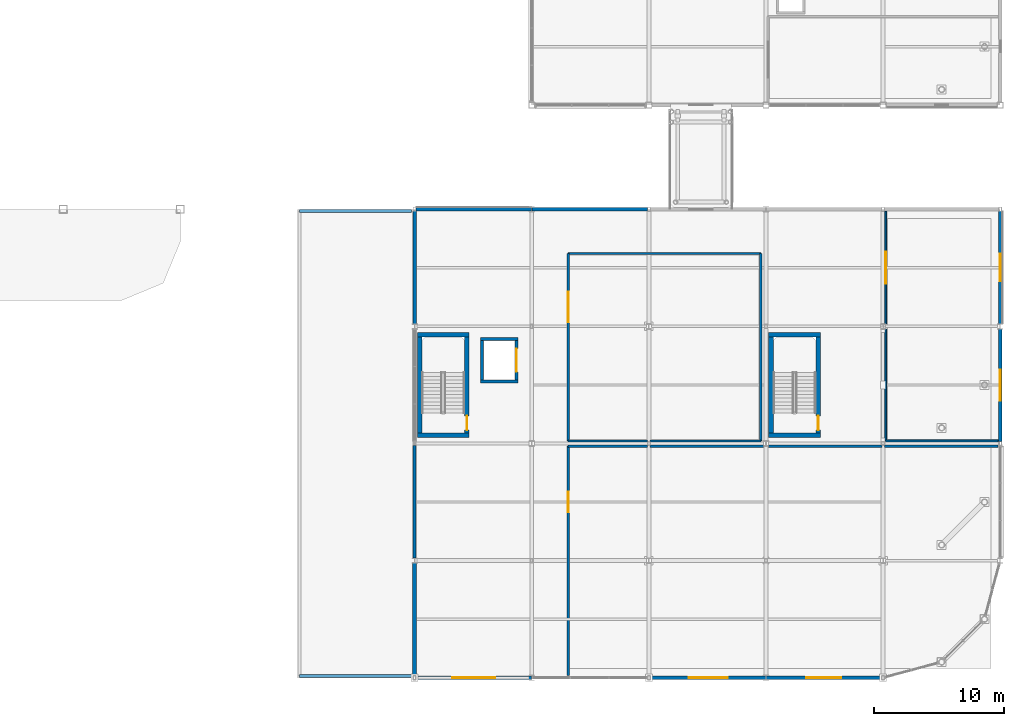
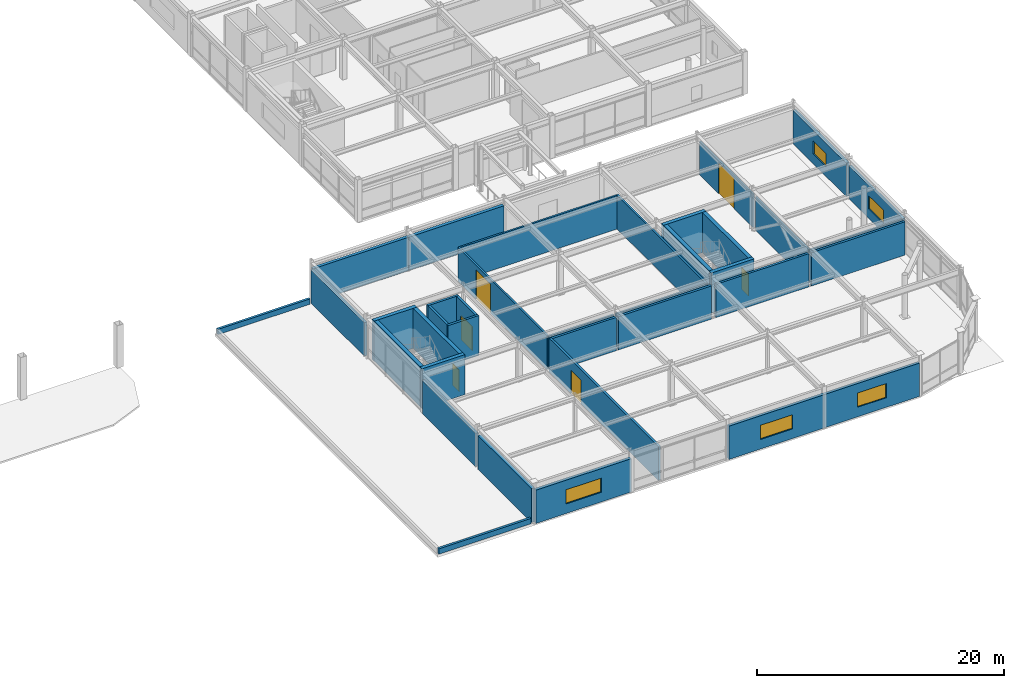
# One storey, part 77 of 105: 37 walls, 6 doors, 5 windows, 11 openings.
"""IFC4 building model written with IfcOpenShell, lengths in metres."""

from ifc_helpers import new_model, si_unit, direction, frame, frame_2d, origin, place, context, subcontext, project, spatial, rectangle, extrude, material, layer, layer_set, type_object, element, fill, save


model = new_model("IFC4")

# Units and contexts
model_context = context("Model", 3, precision=1e-05, world=origin(), true_north=direction((0.0, 1.0)))
body_context = subcontext(model_context, "Body", "Model", "MODEL_VIEW")
ifc_project = project(units=[si_unit("LENGTHUNIT", "METRE"), si_unit("AREAUNIT", "SQUARE_METRE"), si_unit("VOLUMEUNIT", "CUBIC_METRE"), si_unit("PLANEANGLEUNIT", "RADIAN"), si_unit("MASSUNIT", "GRAM", prefix="KILO")], contexts=[model_context])

# Site, building, storey
site_placement = place(None, origin())
site = spatial("IfcSite", under=ifc_project, at=site_placement, CompositionType="ELEMENT")
building_placement = place(site_placement, origin())
building = spatial("IfcBuilding", under=site, at=building_placement, Name="Suzunagisa Mobility Hub", CompositionType="ELEMENT")
storey_placement = place(building_placement, frame((0.0, 0.0, 5.10009765625)))
storey = spatial("IfcBuildingStorey", under=building, at=storey_placement, Name="L01", CompositionType="ELEMENT", Elevation=5.10009765625)

# Wall, opening, window
ifc_material_1 = material(Name="Porcelain-Faced Insulated Concrete C30/37 Wall", Category="concrete")
ifc_layer_1 = layer(ifc_material_1, 0.260009765625)
ifc_layer_set_1 = layer_set([ifc_layer_1], Name="Porcelain-Faced Insulated Concrete C30/37 Wall")
wall_type_1 = type_object("IfcWallType", Name="Exterior Wall EW-03 260mm", PredefinedType="SOLIDWALL", material=ifc_layer_set_1)
wall_1_placement = place(storey_placement, frame((162.00439453125, 0.0, 0.0), z_axis=(0.0, 0.0, 1.0), x_axis=(1.0, 0.0, 0.0)))
wall_1 = element("IfcWall", 1, at=wall_1_placement, inside=storey, type_object=wall_type_1, Name="L01 Exterior Facade Wall EW-298", PredefinedType="SOLIDWALL", context=body_context, shape_type="SweptSolid", body=[
    extrude(rectangle(XDim=8.8955078125, YDim=0.260009765625, at=frame_2d((4.44775390625, 0.0))), origin(), (0.0, 0.0, 1.0), 3.289794921875),
])
opening_1_placement = place(wall_1_placement, frame((3.09765625, 0.0, 0.949951171875)))
opening_1 = element("IfcOpeningElement", 2, at=opening_1_placement, cuts=wall_1, Name="Opening WN-20", PredefinedType="OPENING", context=body_context, shape_type="SweptSolid", body=[
    extrude(rectangle(XDim=2.699951171875, YDim=1.39990234375, at=frame_2d((1.35009765625, 0.699951171875))), frame((0.0, 0.14111328125, 0.0), z_axis=(0.0, -1.0, 0.0), x_axis=(1.0, 0.0, 0.0)), (0.0, 0.0, 1.0), 0.281982421875),
])
ifc_material_2 = material(Name="Thermally Broken Anodized Aluminum and Low-E Double Glazing", Category="aluminium")
window_type_1 = type_object("IfcWindowType", Name="Aluminum Window WN-20 2700x1400", PartitioningType="SINGLE_PANEL", PredefinedType="WINDOW", material=ifc_material_2)
window_1_placement = place(opening_1_placement, origin())
window_1 = element("IfcWindow", 3, at=window_1_placement, inside=storey, type_object=window_type_1, Name="L01 Scheduled Facade Window WN-102", OverallHeight=1.39990234375, OverallWidth=2.699951171875, PartitioningType="SINGLE_PANEL", PredefinedType="WINDOW", context=body_context, shape_type="SweptSolid", body=[
    extrude(rectangle(XDim=2.699951171875, YDim=1.39990234375, at=frame_2d((1.35009765625, 0.699951171875))), frame((0.0, 0.030029296875, 0.0), z_axis=(0.0, -1.0, 0.0), x_axis=(1.0, 0.0, 0.0)), (0.0, 0.0, 1.0), 0.06005859375),
])
fill(opening_1, window_1)

# Wall
wall_2_placement = place(storey_placement, frame((135.0, 35.85009765625, 0.0), z_axis=(0.0, 0.0, 1.0), x_axis=(0.0, -1.0, 0.0)))
element("IfcWall", 4, at=wall_2_placement, inside=storey, type_object=wall_type_1, Name="L01 Exterior Facade Wall EW-306", PredefinedType="SOLIDWALL", context=body_context, shape_type="SweptSolid", body=[
    extrude(rectangle(XDim=8.650146484375, YDim=0.260009765625, at=frame_2d((4.3251953125, 0.0))), origin(), (0.0, 0.0, 1.0), 3.2998046875),
])

# Wall, opening, window
ifc_material_3 = material(Name="Lightweight Insulated Autoclaved Concrete C30/37 Wall", Category="concrete")
ifc_layer_2 = layer(ifc_material_3, 0.239990234375)
ifc_layer_set_2 = layer_set([ifc_layer_2], Name="Lightweight Insulated Autoclaved Concrete C30/37 Wall")
wall_type_2 = type_object("IfcWallType", Name="Exterior Wall EW-04 240mm", PredefinedType="SOLIDWALL", material=ifc_layer_set_2)
wall_3_placement = place(storey_placement, frame((180.0, 18.14990234375, 0.0), z_axis=(0.0, 0.0, 1.0), x_axis=(0.0, 1.0, 0.0)))
wall_3 = element("IfcWall", 5, at=wall_3_placement, inside=storey, type_object=wall_type_2, Name="L01 Exterior Facade Wall EW-299", PredefinedType="SOLIDWALL", context=body_context, shape_type="SweptSolid", body=[
    extrude(rectangle(XDim=8.650146484375, YDim=0.239990234375, at=frame_2d((4.3251953125, 0.0))), origin(), (0.0, 0.0, 1.0), 3.289794921875),
])
opening_2_placement = place(wall_3_placement, frame((3.125, 0.0, 0.949951171875)))
opening_2 = element("IfcOpeningElement", 6, at=opening_2_placement, cuts=wall_3, Name="Opening WN-30", PredefinedType="OPENING", context=body_context, shape_type="SweptSolid", body=[
    extrude(rectangle(XDim=2.39990234375, YDim=1.300048828125, at=frame_2d((1.199951171875, 0.64990234375))), frame((0.0, 0.130859375, 0.0), z_axis=(0.0, -1.0, 0.0), x_axis=(1.0, 0.0, 0.0)), (0.0, 0.0, 1.0), 0.261962890625),
])
window_type_2 = type_object("IfcWindowType", Name="Aluminum Window WN-30 2400x1300", PartitioningType="SINGLE_PANEL", PredefinedType="WINDOW", material=ifc_material_2)
window_2_placement = place(opening_2_placement, origin())
window_2 = element("IfcWindow", 7, at=window_2_placement, inside=storey, type_object=window_type_2, Name="L01 Scheduled Facade Window WN-103", OverallHeight=1.300048828125, OverallWidth=2.39990234375, PartitioningType="SINGLE_PANEL", PredefinedType="WINDOW", context=body_context, shape_type="SweptSolid", body=[
    extrude(rectangle(XDim=2.39990234375, YDim=1.300048828125, at=frame_2d((1.199951171875, 0.64990234375))), frame((0.0, 0.030029296875, 0.0), z_axis=(0.0, -1.0, 0.0), x_axis=(1.0, 0.0, 0.0)), (0.0, 0.0, 1.0), 0.06005859375),
])
fill(opening_2, window_2)

# Walls
wall_4_placement = place(storey_placement, frame((135.0, 17.85009765625, 0.0), z_axis=(0.0, 0.0, 1.0), x_axis=(0.0, -1.0, 0.0)))
element("IfcWall", 8, at=wall_4_placement, inside=storey, type_object=wall_type_2, Name="L01 Exterior Facade Wall EW-307", PredefinedType="SOLIDWALL", context=body_context, shape_type="SweptSolid", body=[
    extrude(rectangle(XDim=8.650146484375, YDim=0.239990234375, at=frame_2d((4.3251953125, 0.0))), origin(), (0.0, 0.0, 1.0), 3.289794921875),
])
ifc_material_4 = material(Name="Concrete C30/37", Category="concrete")
ifc_layer_3 = layer(ifc_material_4, 0.219970703125)
ifc_layer_set_3 = layer_set([ifc_layer_3], Name="Concrete C30/37")
wall_type_3 = type_object("IfcWallType", Name="Exterior Wall EW-05 220mm", PredefinedType="PARAPET", material=ifc_layer_set_3)
for number, where, z_axis, x_axis, name in (
    (9, (126.139892578125, 35.860107421875, 0.0), (0.0, 0.0, 1.0), (1.0, 0.0, 0.0), "L01 Roof Setback Parapet PR-469"),
    (10, (134.75, 0.139892578125, 0.0), (0.0, 0.0, 1.0), (-1.0, 0.0, 0.0), "L01 Roof Setback Parapet PR-470"),
):
    element("IfcWall", number, at=place(storey_placement, frame(where, z_axis=z_axis, x_axis=x_axis)), inside=storey, type_object=wall_type_3, Name=name, PredefinedType="PARAPET", context=body_context, shape_type="SweptSolid", body=[
        extrude(rectangle(XDim=8.610107421875, YDim=0.219970703125, at=frame_2d((4.30517578125, 0.0))), origin(), (0.0, 0.0, 1.0), 0.52001953125),
    ])

# Wall, opening, window
ifc_layer_4 = layer(ifc_material_1, 0.280029296875)
ifc_layer_set_4 = layer_set([ifc_layer_4], Name="Porcelain-Faced Insulated Concrete C30/37 Wall")
wall_type_4 = type_object("IfcWallType", Name="Exterior Wall EW-08 280mm", PredefinedType="SOLIDWALL", material=ifc_layer_set_4)
wall_5_placement = place(storey_placement, frame((153.10009765625, 0.0, 0.0), z_axis=(0.0, 0.0, 1.0), x_axis=(1.0, 0.0, 0.0)))
wall_5 = element("IfcWall", 11, at=wall_5_placement, inside=storey, type_object=wall_type_4, Name="L01 Exterior Facade Wall EW-297", PredefinedType="SOLIDWALL", context=body_context, shape_type="SweptSolid", body=[
    extrude(rectangle(XDim=8.8955078125, YDim=0.280029296875, at=frame_2d((4.44775390625, 0.0))), origin(), (0.0, 0.0, 1.0), 3.289794921875),
])
opening_3_placement = place(wall_5_placement, frame((2.94775390625, 0.0, 0.949951171875)))
opening_3 = element("IfcOpeningElement", 12, at=opening_3_placement, cuts=wall_5, Name="Opening WN-09", PredefinedType="OPENING", context=body_context, shape_type="SweptSolid", body=[
    extrude(rectangle(XDim=3.0, YDim=1.39990234375, at=frame_2d((1.5, 0.699951171875))), frame((0.0, 0.15087890625, 0.0), z_axis=(0.0, -1.0, 0.0), x_axis=(1.0, 0.0, 0.0)), (0.0, 0.0, 1.0), 0.302001953125),
])
window_type_3 = type_object("IfcWindowType", Name="Aluminum Window WN-09 3000x1400", PartitioningType="SINGLE_PANEL", PredefinedType="WINDOW", material=ifc_material_2)
window_3_placement = place(opening_3_placement, origin())
window_3 = element("IfcWindow", 13, at=window_3_placement, inside=storey, type_object=window_type_3, Name="L01 Scheduled Facade Window WN-101", OverallHeight=1.39990234375, OverallWidth=3.0, PartitioningType="SINGLE_PANEL", PredefinedType="WINDOW", context=body_context, shape_type="SweptSolid", body=[
    extrude(rectangle(XDim=3.0, YDim=1.39990234375, at=frame_2d((1.5, 0.699951171875))), frame((0.0, 0.030029296875, 0.0), z_axis=(0.0, -1.0, 0.0), x_axis=(1.0, 0.0, 0.0)), (0.0, 0.0, 1.0), 0.06005859375),
])
fill(opening_3, window_3)

# Wall
wall_6_placement = place(storey_placement, frame((143.99560546875, 36.0, 0.0), z_axis=(0.0, 0.0, 1.0), x_axis=(-1.0, 0.0, 0.0)))
element("IfcWall", 14, at=wall_6_placement, inside=storey, type_object=wall_type_4, Name="L01 Exterior Facade Wall EW-305", PredefinedType="SOLIDWALL", context=body_context, shape_type="SweptSolid", body=[
    extrude(rectangle(XDim=8.8955078125, YDim=0.280029296875, at=frame_2d((4.44775390625, 0.0))), origin(), (0.0, 0.0, 1.0), 3.2998046875),
])

# Wall, opening, window
ifc_material_5 = material(Name="Insulated Precast Concrete C35/45 Panel", Category="concrete")
ifc_layer_5 = layer(ifc_material_5, 0.300048828125)
ifc_layer_set_5 = layer_set([ifc_layer_5], Name="Insulated Precast Concrete C35/45 Panel")
wall_type_5 = type_object("IfcWallType", Name="Exterior Wall EW-09 300mm", PredefinedType="SOLIDWALL", material=ifc_layer_set_5)
wall_7_placement = place(storey_placement, frame((135.10009765625, 0.0, 0.0), z_axis=(0.0, 0.0, 1.0), x_axis=(1.0, 0.0, 0.0)))
wall_7 = element("IfcWall", 15, at=wall_7_placement, inside=storey, type_object=wall_type_5, Name="L01 Exterior Facade Wall EW-296", PredefinedType="SOLIDWALL", context=body_context, shape_type="SweptSolid", body=[
    extrude(rectangle(XDim=8.8955078125, YDim=0.300048828125, at=frame_2d((4.44775390625, 0.0))), origin(), (0.0, 0.0, 1.0), 3.289794921875),
])
opening_4_placement = place(wall_7_placement, frame((2.797607421875, 0.0, 0.949951171875)))
opening_4 = element("IfcOpeningElement", 16, at=opening_4_placement, cuts=wall_7, Name="Opening WN-19", PredefinedType="OPENING", context=body_context, shape_type="SweptSolid", body=[
    extrude(rectangle(XDim=3.300048828125, YDim=1.39990234375, at=frame_2d((1.64990234375, 0.699951171875))), frame((0.0, 0.1611328125, 0.0), z_axis=(0.0, -1.0, 0.0), x_axis=(1.0, 0.0, 0.0)), (0.0, 0.0, 1.0), 0.322021484375),
])
window_type_4 = type_object("IfcWindowType", Name="Aluminum Window WN-19 3300x1400", PartitioningType="SINGLE_PANEL", PredefinedType="WINDOW", material=ifc_material_2)
window_4_placement = place(opening_4_placement, origin())
window_4 = element("IfcWindow", 17, at=window_4_placement, inside=storey, type_object=window_type_4, Name="L01 Scheduled Facade Window WN-100", OverallHeight=1.39990234375, OverallWidth=3.300048828125, PartitioningType="SINGLE_PANEL", PredefinedType="WINDOW", context=body_context, shape_type="SweptSolid", body=[
    extrude(rectangle(XDim=3.300048828125, YDim=1.39990234375, at=frame_2d((1.64990234375, 0.699951171875))), frame((0.0, 0.030029296875, 0.0), z_axis=(0.0, -1.0, 0.0), x_axis=(1.0, 0.0, 0.0)), (0.0, 0.0, 1.0), 0.06005859375),
])
fill(opening_4, window_4)

wall_8_placement = place(storey_placement, frame((180.0, 27.199951171875, 0.0), z_axis=(0.0, 0.0, 1.0), x_axis=(0.0, 1.0, 0.0)))
wall_8 = element("IfcWall", 18, at=wall_8_placement, inside=storey, type_object=wall_type_5, Name="L01 Exterior Facade Wall EW-300", PredefinedType="SOLIDWALL", context=body_context, shape_type="SweptSolid", body=[
    extrude(rectangle(XDim=8.650146484375, YDim=0.300048828125, at=frame_2d((4.3251953125, 0.0))), origin(), (0.0, 0.0, 1.0), 3.2998046875),
])
opening_5_placement = place(wall_8_placement, frame((3.27490234375, 0.0, 0.949951171875)))
opening_5 = element("IfcOpeningElement", 19, at=opening_5_placement, cuts=wall_8, Name="Opening WN-07", PredefinedType="OPENING", context=body_context, shape_type="SweptSolid", body=[
    extrude(rectangle(XDim=2.10009765625, YDim=1.300048828125, at=frame_2d((1.050048828125, 0.64990234375))), frame((0.0, 0.1611328125, 0.0), z_axis=(0.0, -1.0, 0.0), x_axis=(1.0, 0.0, 0.0)), (0.0, 0.0, 1.0), 0.322021484375),
])
window_type_5 = type_object("IfcWindowType", Name="Aluminum Window WN-07 2100x1300", PartitioningType="SINGLE_PANEL", PredefinedType="WINDOW", material=ifc_material_2)
window_5_placement = place(opening_5_placement, origin())
window_5 = element("IfcWindow", 20, at=window_5_placement, inside=storey, type_object=window_type_5, Name="L01 Scheduled Facade Window WN-104", OverallHeight=1.300048828125, OverallWidth=2.10009765625, PartitioningType="SINGLE_PANEL", PredefinedType="WINDOW", context=body_context, shape_type="SweptSolid", body=[
    extrude(rectangle(XDim=2.10009765625, YDim=1.300048828125, at=frame_2d((1.050048828125, 0.64990234375))), frame((0.0, 0.030029296875, 0.0), z_axis=(0.0, -1.0, 0.0), x_axis=(1.0, 0.0, 0.0)), (0.0, 0.0, 1.0), 0.06005859375),
])
fill(opening_5, window_5)

# Walls
wall_9_placement = place(storey_placement, frame((152.89990234375, 36.0, 0.0), z_axis=(0.0, 0.0, 1.0), x_axis=(-1.0, 0.0, 0.0)))
element("IfcWall", 21, at=wall_9_placement, inside=storey, type_object=wall_type_5, Name="L01 Exterior Facade Wall EW-304", PredefinedType="SOLIDWALL", context=body_context, shape_type="SweptSolid", body=[
    extrude(rectangle(XDim=8.8955078125, YDim=0.300048828125, at=frame_2d((4.44775390625, 0.0))), origin(), (0.0, 0.0, 1.0), 3.2998046875),
])
wall_10_placement = place(storey_placement, frame((135.0, 8.800048828125, 0.0), z_axis=(0.0, 0.0, 1.0), x_axis=(0.0, -1.0, 0.0)))
element("IfcWall", 22, at=wall_10_placement, inside=storey, type_object=wall_type_5, Name="L01 Exterior Facade Wall EW-308", PredefinedType="SOLIDWALL", context=body_context, shape_type="SweptSolid", body=[
    extrude(rectangle(XDim=8.650146484375, YDim=0.300048828125, at=frame_2d((4.3251953125, 0.0))), origin(), (0.0, 0.0, 1.0), 3.33984375),
])

# Wall, opening, door
ifc_material_6 = material(Name="Fire-Rated Gypsum Stud Partition", Category="gypsum")
ifc_layer_6 = layer(ifc_material_6, 0.2099609375)
ifc_layer_set_6 = layer_set([ifc_layer_6], Name="Fire-Rated Gypsum Stud Partition")
wall_type_6 = type_object("IfcWallType", Name="Interior Wall IW-03 210mm", PredefinedType="PARTITIONING", material=ifc_layer_set_6)
wall_11_placement = place(storey_placement, frame((142.824951171875, 22.8798828125, 0.0), z_axis=(0.0, 0.0, 1.0), x_axis=(0.0, 1.0, 0.0)))
wall_11 = element("IfcWall", 23, at=wall_11_placement, inside=storey, type_object=wall_type_6, Name="L01 Lift LF-08 Shaft Front Wall", PredefinedType="PARTITIONING", context=body_context, shape_type="SweptSolid", body=[
    extrude(rectangle(XDim=3.0400390625, YDim=0.2099609375, at=frame_2d((1.52001953125, 0.0))), origin(), (0.0, 0.0, 1.0), 3.949951171875),
])
opening_6_placement = place(wall_11_placement, frame((0.6201171875, 0.0, 0.0)))
opening_6 = element("IfcOpeningElement", 24, at=opening_6_placement, cuts=wall_11, Name="Opening LD-04", PredefinedType="OPENING", context=body_context, shape_type="SweptSolid", body=[
    extrude(rectangle(XDim=1.800048828125, YDim=2.39990234375, at=frame_2d((0.89990234375, 1.199951171875))), frame((0.0, 0.115966796875, 0.0), z_axis=(0.0, -1.0, 0.0), x_axis=(1.0, 0.0, 0.0)), (0.0, 0.0, 1.0), 0.23193359375),
])
ifc_material_7 = material(Name="Brushed Stainless Steel SUS304", Category="metal")
door_type_1 = type_object("IfcDoorType", Name="Lift Landing Sliding Door LD-04 1800x2400", OperationType="SLIDING_TO_LEFT", PredefinedType="DOOR", material=ifc_material_7)
door_1_placement = place(opening_6_placement, origin())
door_1 = element("IfcDoor", 25, at=door_1_placement, inside=storey, type_object=door_type_1, Name="L01 Lift LF-08 Sliding Landing Door", OperationType="SLIDING_TO_LEFT", OverallHeight=2.39990234375, OverallWidth=1.800048828125, PredefinedType="DOOR", context=body_context, shape_type="SweptSolid", body=[
    extrude(rectangle(XDim=1.800048828125, YDim=2.39990234375, at=frame_2d((0.89990234375, 1.199951171875))), frame((0.0, 0.02490234375, 0.0), z_axis=(0.0, -1.0, 0.0), x_axis=(1.0, 0.0, 0.0)), (0.0, 0.0, 1.0), 0.050048828125),
])
fill(opening_6, door_1)

# Walls
wall_12_placement = place(storey_placement, frame((140.175048828125, 22.8798828125, 0.0), z_axis=(0.0, 0.0, 1.0), x_axis=(0.0, 1.0, 0.0)))
element("IfcWall", 26, at=wall_12_placement, inside=storey, type_object=wall_type_6, Name="L01 Lift LF-08 Shaft Back Wall", PredefinedType="PARTITIONING", context=body_context, shape_type="SweptSolid", body=[
    extrude(rectangle(XDim=3.0400390625, YDim=0.2099609375, at=frame_2d((1.52001953125, 0.0))), origin(), (0.0, 0.0, 1.0), 3.949951171875),
])
for number, where, z_axis, x_axis, name in (
    (27, (140.070068359375, 22.77490234375, 0.0), (0.0, 0.0, 1.0), (1.0, 0.0, 0.0), "L01 Lift LF-08 Shaft South Wall"),
    (28, (140.070068359375, 26.02490234375, 0.0), (0.0, 0.0, 1.0), (1.0, 0.0, 0.0), "L01 Lift LF-08 Shaft North Wall"),
):
    element("IfcWall", number, at=place(storey_placement, frame(where, z_axis=z_axis, x_axis=x_axis)), inside=storey, type_object=wall_type_6, Name=name, PredefinedType="PARTITIONING", context=body_context, shape_type="SweptSolid", body=[
        extrude(rectangle(XDim=2.85986328125, YDim=0.2099609375, at=frame_2d((1.429931640625, 0.0))), origin(), (0.0, 0.0, 1.0), 3.949951171875),
    ])
wall_13_placement = place(storey_placement, frame((146.800048828125, 17.800048828125, 0.0), z_axis=(0.0, 0.0, 1.0), x_axis=(1.0, 0.0, 0.0)))
element("IfcWall", 29, at=wall_13_placement, inside=storey, type_object=wall_type_6, Name="L01 South Prow Battery Module Quarantine Store Partition PW-781", PredefinedType="PARTITIONING", context=body_context, shape_type="SweptSolid", body=[
    extrude(rectangle(XDim=6.099853515625, YDim=0.2099609375, at=frame_2d((3.0498046875, 0.0))), origin(), (0.0, 0.0, 1.0), 3.289794921875),
])
for number, where, z_axis, x_axis, name in (
    (30, (153.10009765625, 17.800048828125, 0.0), (0.0, 0.0, 1.0), (1.0, 0.0, 0.0), "L01 South Prow Battery Module Quarantine Store Partition PW-782"),
    (31, (162.199951171875, 17.800048828125, 0.0), (0.0, 0.0, 1.0), (1.0, 0.0, 0.0), "L01 South Prow Battery Module Quarantine Store Partition PW-783"),
):
    element("IfcWall", number, at=place(storey_placement, frame(where, z_axis=z_axis, x_axis=x_axis)), inside=storey, type_object=wall_type_6, Name=name, PredefinedType="PARTITIONING", context=body_context, shape_type="SweptSolid", body=[
        extrude(rectangle(XDim=8.699951171875, YDim=0.2099609375, at=frame_2d((4.35009765625, 0.0))), origin(), (0.0, 0.0, 1.0), 3.289794921875),
    ])
wall_14_placement = place(storey_placement, frame((171.10009765625, 17.800048828125, 0.0), z_axis=(0.0, 0.0, 1.0), x_axis=(1.0, 0.0, 0.0)))
element("IfcWall", 32, at=wall_14_placement, inside=storey, type_object=wall_type_6, Name="L01 South Prow Battery Module Quarantine Store Partition PW-784", PredefinedType="PARTITIONING", context=body_context, shape_type="SweptSolid", body=[
    extrude(rectangle(XDim=8.73486328125, YDim=0.2099609375, at=frame_2d((4.367431640625, 0.0))), origin(), (0.0, 0.0, 1.0), 3.289794921875),
])

# Wall, opening, door
wall_15_placement = place(storey_placement, frame((146.800048828125, 0.1650390625, 0.0), z_axis=(0.0, 0.0, 1.0), x_axis=(0.0, 1.0, 0.0)))
wall_15 = element("IfcWall", 33, at=wall_15_placement, inside=storey, type_object=wall_type_6, Name="L01 South Prow Battery Module Quarantine Store Partition PW-785", PredefinedType="PARTITIONING", context=body_context, shape_type="SweptSolid", body=[
    extrude(rectangle(XDim=17.635009765625, YDim=0.2099609375, at=frame_2d((8.8173828125, 0.0))), origin(), (0.0, 0.0, 1.0), 3.33984375),
])
opening_7_placement = place(wall_15_placement, frame((12.534912109375, 0.0, 0.0)))
opening_7 = element("IfcOpeningElement", 34, at=opening_7_placement, cuts=wall_15, Name="Opening DR-26", PredefinedType="OPENING", context=body_context, shape_type="SweptSolid", body=[
    extrude(rectangle(XDim=1.60009765625, YDim=2.300048828125, at=frame_2d((0.800048828125, 1.14990234375))), frame((0.0, 0.115966796875, 0.0), z_axis=(0.0, -1.0, 0.0), x_axis=(1.0, 0.0, 0.0)), (0.0, 0.0, 1.0), 0.23193359375),
])
ifc_material_8 = material(Name="Heavy Plant Double Steel Fire Door", Category="steel")
door_type_2 = type_object("IfcDoorType", Name="Interior Door DR-26 1600x2300", OperationType="SINGLE_SWING_LEFT", PredefinedType="DOOR", material=ifc_material_8)
door_2_placement = place(opening_7_placement, origin())
door_2 = element("IfcDoor", 35, at=door_2_placement, inside=storey, type_object=door_type_2, Name="L01 South Prow Battery Module Quarantine Store Door DR-197", OperationType="SINGLE_SWING_RIGHT", OverallHeight=2.300048828125, OverallWidth=1.60009765625, PredefinedType="DOOR", context=body_context, shape_type="SweptSolid", body=[
    extrude(rectangle(XDim=1.60009765625, YDim=2.300048828125, at=frame_2d((0.800048828125, 1.14990234375))), frame((0.0, 0.02490234375, 0.0), z_axis=(0.0, -1.0, 0.0), x_axis=(1.0, 0.0, 0.0)), (0.0, 0.0, 1.0), 0.050048828125),
])
fill(opening_7, door_2)

# Walls
ifc_material_9 = material(Name="Concrete C35/45", Category="concrete")
ifc_layer_7 = layer(ifc_material_9, 0.35009765625)
ifc_layer_set_7 = layer_set([ifc_layer_7], Name="Concrete C35/45")
wall_type_7 = type_object("IfcWallType", Name="Interior Wall IW-04 350mm", PredefinedType="SHEAR", material=ifc_layer_set_7)
for number, where, z_axis, x_axis, name in (
    (36, (135.2099609375, 18.625, 0.0), (0.0, 0.0, 1.0), (1.0, 0.0, 0.0), "L01 Core C7 Shear Wall SW-317"),
    (37, (135.2099609375, 26.375, 0.0), (0.0, 0.0, 1.0), (1.0, 0.0, 0.0), "L01 Core C7 Shear Wall SW-318"),
):
    element("IfcWall", number, at=place(storey_placement, frame(where, z_axis=z_axis, x_axis=x_axis)), inside=storey, type_object=wall_type_7, Name=name, PredefinedType="SHEAR", context=body_context, shape_type="SweptSolid", body=[
        extrude(rectangle(XDim=3.97998046875, YDim=0.35009765625, at=frame_2d((1.989990234375, 0.0))), origin(), (0.0, 0.0, 1.0), 3.949951171875),
    ])
wall_16_placement = place(storey_placement, frame((135.385009765625, 18.800048828125, 0.0), z_axis=(0.0, 0.0, 1.0), x_axis=(0.0, 1.0, 0.0)))
element("IfcWall", 38, at=wall_16_placement, inside=storey, type_object=wall_type_7, Name="L01 Core C7 Shear Wall SW-319", PredefinedType="SHEAR", context=body_context, shape_type="SweptSolid", body=[
    extrude(rectangle(XDim=7.39990234375, YDim=0.35009765625, at=frame_2d((3.699951171875, 0.0))), origin(), (0.0, 0.0, 1.0), 3.949951171875),
])

# Wall, opening, door
wall_17_placement = place(storey_placement, frame((139.014892578125, 18.800048828125, 0.0), z_axis=(0.0, 0.0, 1.0), x_axis=(0.0, 1.0, 0.0)))
wall_17 = element("IfcWall", 39, at=wall_17_placement, inside=storey, type_object=wall_type_7, Name="L01 Core C7 Shear Wall SW-320", PredefinedType="SHEAR", context=body_context, shape_type="SweptSolid", body=[
    extrude(rectangle(XDim=7.39990234375, YDim=0.35009765625, at=frame_2d((3.699951171875, 0.0))), origin(), (0.0, 0.0, 1.0), 3.949951171875),
])
opening_8_placement = place(wall_17_placement, frame((0.219970703125, 0.0, 0.0)))
opening_8 = element("IfcOpeningElement", 40, at=opening_8_placement, cuts=wall_17, Name="Opening DR-05", PredefinedType="OPENING", context=body_context, shape_type="SweptSolid", body=[
    extrude(rectangle(XDim=1.10009765625, YDim=2.14990234375, at=frame_2d((0.550048828125, 1.074951171875))), frame((0.0, 0.18603515625, 0.0), z_axis=(0.0, -1.0, 0.0), x_axis=(1.0, 0.0, 0.0)), (0.0, 0.0, 1.0), 0.3720703125),
])
ifc_material_10 = material(Name="Fire-Rated Hollow Steel Stair Door", Category="steel")
door_type_3 = type_object("IfcDoorType", Name="Interior Door DR-05 1100x2150", OperationType="SINGLE_SWING_LEFT", PredefinedType="DOOR", material=ifc_material_10)
door_3_placement = place(opening_8_placement, origin())
door_3 = element("IfcDoor", 41, at=door_3_placement, inside=storey, type_object=door_type_3, Name="L01 Core C7 Escape Stair Fire Door SD-78", OperationType="SINGLE_SWING_RIGHT", OverallHeight=2.14990234375, OverallWidth=1.10009765625, PredefinedType="DOOR", context=body_context, shape_type="SweptSolid", body=[
    extrude(rectangle(XDim=1.10009765625, YDim=2.14990234375, at=frame_2d((0.550048828125, 1.074951171875))), frame((0.0, 0.02490234375, 0.0), z_axis=(0.0, -1.0, 0.0), x_axis=(1.0, 0.0, 0.0)), (0.0, 0.0, 1.0), 0.050048828125),
])
fill(opening_8, door_3)

# Walls
for number, where, z_axis, x_axis, name in (
    (42, (162.2099609375, 18.625, 0.0), (0.0, 0.0, 1.0), (1.0, 0.0, 0.0), "L01 Core C7B Shear Wall SW-353"),
    (43, (162.2099609375, 26.375, 0.0), (0.0, 0.0, 1.0), (1.0, 0.0, 0.0), "L01 Core C7B Shear Wall SW-354"),
):
    element("IfcWall", number, at=place(storey_placement, frame(where, z_axis=z_axis, x_axis=x_axis)), inside=storey, type_object=wall_type_7, Name=name, PredefinedType="SHEAR", context=body_context, shape_type="SweptSolid", body=[
        extrude(rectangle(XDim=3.97998046875, YDim=0.35009765625, at=frame_2d((1.989990234375, 0.0))), origin(), (0.0, 0.0, 1.0), 3.949951171875),
    ])
wall_18_placement = place(storey_placement, frame((162.385009765625, 18.800048828125, 0.0), z_axis=(0.0, 0.0, 1.0), x_axis=(0.0, 1.0, 0.0)))
element("IfcWall", 44, at=wall_18_placement, inside=storey, type_object=wall_type_7, Name="L01 Core C7B Shear Wall SW-355", PredefinedType="SHEAR", context=body_context, shape_type="SweptSolid", body=[
    extrude(rectangle(XDim=7.39990234375, YDim=0.35009765625, at=frame_2d((3.699951171875, 0.0))), origin(), (0.0, 0.0, 1.0), 3.949951171875),
])

# Wall, opening, door
wall_19_placement = place(storey_placement, frame((166.014892578125, 18.800048828125, 0.0), z_axis=(0.0, 0.0, 1.0), x_axis=(0.0, 1.0, 0.0)))
wall_19 = element("IfcWall", 45, at=wall_19_placement, inside=storey, type_object=wall_type_7, Name="L01 Core C7B Shear Wall SW-356", PredefinedType="SHEAR", context=body_context, shape_type="SweptSolid", body=[
    extrude(rectangle(XDim=7.39990234375, YDim=0.35009765625, at=frame_2d((3.699951171875, 0.0))), origin(), (0.0, 0.0, 1.0), 3.949951171875),
])
opening_9_placement = place(wall_19_placement, frame((0.219970703125, 0.0, 0.0)))
opening_9 = element("IfcOpeningElement", 46, at=opening_9_placement, cuts=wall_19, Name="Opening DR-05", PredefinedType="OPENING", context=body_context, shape_type="SweptSolid", body=[
    extrude(rectangle(XDim=1.10009765625, YDim=2.14990234375, at=frame_2d((0.550048828125, 1.074951171875))), frame((0.0, 0.18603515625, 0.0), z_axis=(0.0, -1.0, 0.0), x_axis=(1.0, 0.0, 0.0)), (0.0, 0.0, 1.0), 0.3720703125),
])
door_4_placement = place(opening_9_placement, origin())
door_4 = element("IfcDoor", 47, at=door_4_placement, inside=storey, type_object=door_type_3, Name="L01 Core C7B Escape Stair Fire Door SD-86", OperationType="SINGLE_SWING_LEFT", OverallHeight=2.14990234375, OverallWidth=1.10009765625, PredefinedType="DOOR", context=body_context, shape_type="SweptSolid", body=[
    extrude(rectangle(XDim=1.10009765625, YDim=2.14990234375, at=frame_2d((0.550048828125, 1.074951171875))), frame((0.0, 0.02490234375, 0.0), z_axis=(0.0, -1.0, 0.0), x_axis=(1.0, 0.0, 0.0)), (0.0, 0.0, 1.0), 0.050048828125),
])
fill(opening_9, door_4)

# Walls
ifc_layer_8 = layer(ifc_material_6, 0.169921875)
ifc_layer_set_8 = layer_set([ifc_layer_8], Name="Fire-Rated Gypsum Stud Partition")
wall_type_8 = type_object("IfcWallType", Name="Interior Wall IW-05 170mm", PredefinedType="PARTITIONING", material=ifc_layer_set_8)
wall_20_placement = place(storey_placement, frame((146.800048828125, 18.199951171875, 0.0), z_axis=(0.0, 0.0, 1.0), x_axis=(1.0, 0.0, 0.0)))
element("IfcWall", 48, at=wall_20_placement, inside=storey, type_object=wall_type_8, Name="L01 Autonomous Sensor Calibration and Electronics Lab Partition PW-773", PredefinedType="PARTITIONING", context=body_context, shape_type="SweptSolid", body=[
    extrude(rectangle(XDim=6.099853515625, YDim=0.169921875, at=frame_2d((3.0498046875, 0.0))), origin(), (0.0, 0.0, 1.0), 3.2998046875),
])
wall_21_placement = place(storey_placement, frame((153.10009765625, 18.199951171875, 0.0), z_axis=(0.0, 0.0, 1.0), x_axis=(1.0, 0.0, 0.0)))
element("IfcWall", 49, at=wall_21_placement, inside=storey, type_object=wall_type_8, Name="L01 Autonomous Sensor Calibration and Electronics Lab Partition PW-774", PredefinedType="PARTITIONING", context=body_context, shape_type="SweptSolid", body=[
    extrude(rectangle(XDim=8.5, YDim=0.169921875, at=frame_2d((4.25, 0.0))), origin(), (0.0, 0.0, 1.0), 3.2998046875),
])
wall_22_placement = place(storey_placement, frame((146.800048828125, 32.60009765625, 0.0), z_axis=(0.0, 0.0, 1.0), x_axis=(1.0, 0.0, 0.0)))
element("IfcWall", 50, at=wall_22_placement, inside=storey, type_object=wall_type_8, Name="L01 Autonomous Sensor Calibration and Electronics Lab Partition PW-775", PredefinedType="PARTITIONING", context=body_context, shape_type="SweptSolid", body=[
    extrude(rectangle(XDim=14.800048828125, YDim=0.169921875, at=frame_2d((7.39990234375, 0.0))), origin(), (0.0, 0.0, 1.0), 3.2998046875),
])

# Wall, opening, door
wall_23_placement = place(storey_placement, frame((146.800048828125, 18.199951171875, 0.0), z_axis=(0.0, 0.0, 1.0), x_axis=(0.0, 1.0, 0.0)))
wall_23 = element("IfcWall", 51, at=wall_23_placement, inside=storey, type_object=wall_type_8, Name="L01 Autonomous Sensor Calibration and Electronics Lab Partition PW-776", PredefinedType="PARTITIONING", context=body_context, shape_type="SweptSolid", body=[
    extrude(rectangle(XDim=14.400146484375, YDim=0.169921875, at=frame_2d((7.2001953125, 0.0))), origin(), (0.0, 0.0, 1.0), 3.349853515625),
])
opening_10_placement = place(wall_23_placement, frame((9.1201171875, 0.0, 0.0)))
opening_10 = element("IfcOpeningElement", 52, at=opening_10_placement, cuts=wall_23, Name="Opening DR-12", PredefinedType="OPENING", context=body_context, shape_type="SweptSolid", body=[
    extrude(rectangle(XDim=2.360107421875, YDim=2.87890625, at=frame_2d((1.18017578125, 1.439453125))), frame((0.0, 0.095947265625, 0.0), z_axis=(0.0, -1.0, 0.0), x_axis=(1.0, 0.0, 0.0)), (0.0, 0.0, 1.0), 0.19189453125),
])
ifc_material_11 = material(Name="Anodized Aluminum Double Exhibition Door", Category="aluminium")
door_type_4 = type_object("IfcDoorType", Name="Interior Door DR-12 2360x2879", OperationType="SINGLE_SWING_LEFT", PredefinedType="DOOR", material=ifc_material_11)
door_5_placement = place(opening_10_placement, origin())
door_5 = element("IfcDoor", 53, at=door_5_placement, inside=storey, type_object=door_type_4, Name="L01 Autonomous Sensor Calibration and Electronics Lab Door DR-195", OperationType="SINGLE_SWING_RIGHT", OverallHeight=2.87890625, OverallWidth=2.360107421875, PredefinedType="DOOR", context=body_context, shape_type="SweptSolid", body=[
    extrude(rectangle(XDim=2.360107421875, YDim=2.87890625, at=frame_2d((1.18017578125, 1.439453125))), frame((0.0, 0.02490234375, 0.0), z_axis=(0.0, -1.0, 0.0), x_axis=(1.0, 0.0, 0.0)), (0.0, 0.0, 1.0), 0.050048828125),
])
fill(opening_10, door_5)

# Walls
wall_24_placement = place(storey_placement, frame((161.60009765625, 18.199951171875, 0.0), z_axis=(0.0, 0.0, 1.0), x_axis=(0.0, 1.0, 0.0)))
element("IfcWall", 54, at=wall_24_placement, inside=storey, type_object=wall_type_8, Name="L01 Autonomous Sensor Calibration and Electronics Lab Partition PW-777", PredefinedType="PARTITIONING", context=body_context, shape_type="SweptSolid", body=[
    extrude(rectangle(XDim=14.400146484375, YDim=0.169921875, at=frame_2d((7.2001953125, 0.0))), origin(), (0.0, 0.0, 1.0), 3.349853515625),
])
ifc_material_12 = material(Name="Acoustic Steel-Stud Gypsum Partition", Category="steel")
ifc_layer_9 = layer(ifc_material_12, 0.14501953125)
ifc_layer_set_9 = layer_set([ifc_layer_9], Name="Acoustic Steel-Stud Gypsum Partition")
wall_type_9 = type_object("IfcWallType", Name="Interior Wall IW-06 145mm", PredefinedType="PARTITIONING", material=ifc_layer_set_9)
wall_25_placement = place(storey_placement, frame((171.199951171875, 18.199951171875, 0.0), z_axis=(0.0, 0.0, 1.0), x_axis=(1.0, 0.0, 0.0)))
element("IfcWall", 55, at=wall_25_placement, inside=storey, type_object=wall_type_9, Name="L01 East Mobility Fleet Avionics Bench L01 Partition PW-778", PredefinedType="PARTITIONING", context=body_context, shape_type="SweptSolid", body=[
    extrude(rectangle(XDim=8.635009765625, YDim=0.14501953125, at=frame_2d((4.3173828125, 0.0))), origin(), (0.0, 0.0, 1.0), 3.289794921875),
])
wall_26_placement = place(storey_placement, frame((171.199951171875, 18.199951171875, 0.0), z_axis=(0.0, 0.0, 1.0), x_axis=(0.0, 1.0, 0.0)))
element("IfcWall", 56, at=wall_26_placement, inside=storey, type_object=wall_type_9, Name="L01 East Mobility Fleet Avionics Bench L01 Partition PW-779", PredefinedType="PARTITIONING", context=body_context, shape_type="SweptSolid", body=[
    extrude(rectangle(XDim=8.60009765625, YDim=0.14501953125, at=frame_2d((4.300048828125, 0.0))), origin(), (0.0, 0.0, 1.0), 3.2998046875),
])

# Wall, opening, door
wall_27_placement = place(storey_placement, frame((171.199951171875, 27.199951171875, 0.0), z_axis=(0.0, 0.0, 1.0), x_axis=(0.0, 1.0, 0.0)))
wall_27 = element("IfcWall", 57, at=wall_27_placement, inside=storey, type_object=wall_type_9, Name="L01 East Mobility Fleet Avionics Bench L01 Partition PW-780", PredefinedType="PARTITIONING", context=body_context, shape_type="SweptSolid", body=[
    extrude(rectangle(XDim=8.635009765625, YDim=0.14501953125, at=frame_2d((4.3173828125, 0.0))), origin(), (0.0, 0.0, 1.0), 3.2998046875),
])
opening_11_placement = place(wall_27_placement, frame((3.06005859375, 0.0, 0.0)))
opening_11 = element("IfcOpeningElement", 58, at=opening_11_placement, cuts=wall_27, Name="Opening DR-09", PredefinedType="OPENING", context=body_context, shape_type="SweptSolid", body=[
    extrude(rectangle(XDim=2.47998046875, YDim=3.02587890625, at=frame_2d((1.239990234375, 1.512939453125))), frame((0.0, 0.08349609375, 0.0), z_axis=(0.0, -1.0, 0.0), x_axis=(1.0, 0.0, 0.0)), (0.0, 0.0, 1.0), 0.1669921875),
])
ifc_material_13 = material(Name="Anodized Aluminum Double Workshop Door", Category="aluminium")
door_type_5 = type_object("IfcDoorType", Name="Interior Door DR-09 2480x3026", OperationType="SINGLE_SWING_LEFT", PredefinedType="DOOR", material=ifc_material_13)
door_6_placement = place(opening_11_placement, origin())
door_6 = element("IfcDoor", 59, at=door_6_placement, inside=storey, type_object=door_type_5, Name="L01 East Mobility Fleet Avionics Bench L01 Door DR-196", OperationType="SINGLE_SWING_LEFT", OverallHeight=3.02587890625, OverallWidth=2.47998046875, PredefinedType="DOOR", context=body_context, shape_type="SweptSolid", body=[
    extrude(rectangle(XDim=2.47998046875, YDim=3.02587890625, at=frame_2d((1.239990234375, 1.512939453125))), frame((0.0, 0.02490234375, 0.0), z_axis=(0.0, -1.0, 0.0), x_axis=(1.0, 0.0, 0.0)), (0.0, 0.0, 1.0), 0.050048828125),
])
fill(opening_11, door_6)

save(model, "model.ifc")
